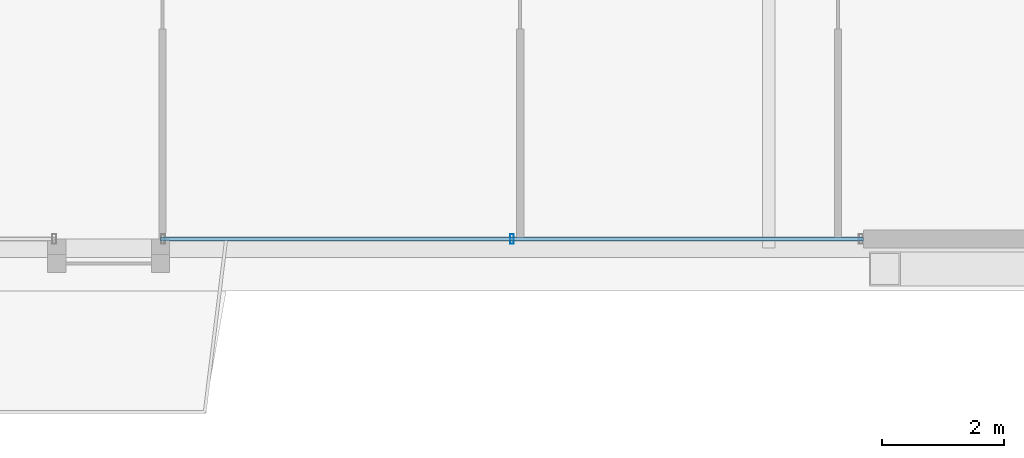
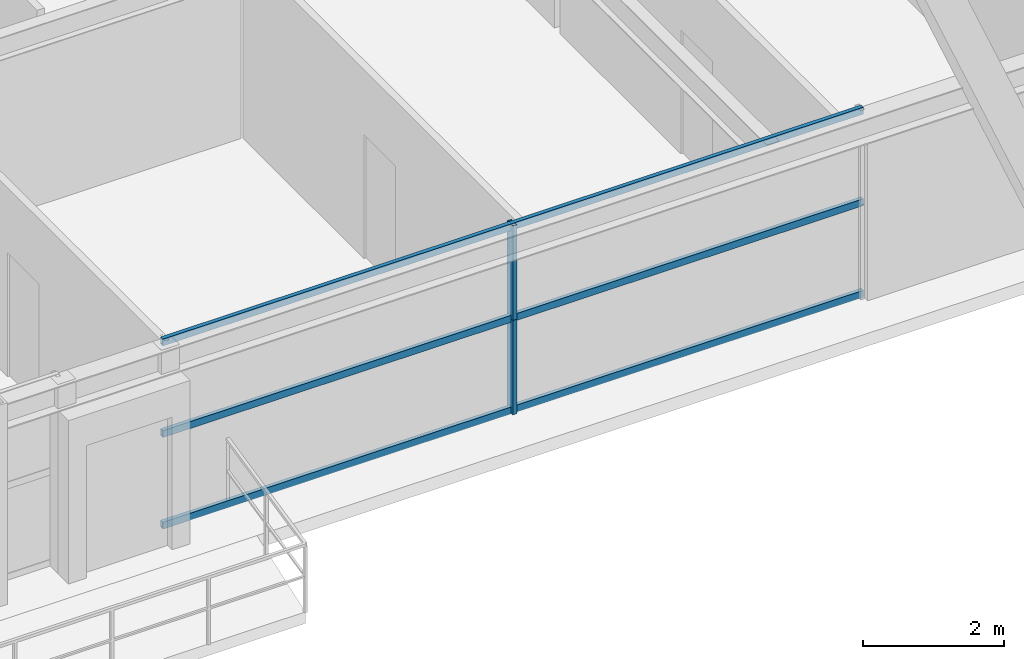
# One storey, part 12 of 45: 5 members, 1 element without a shape of its own.
"""IFC4 building model written with IfcOpenShell, lengths in metres."""

from ifc_helpers import new_model, si_unit, direction, frame, origin, origin_2d, place, context, subcontext, project, spatial, hollow_rectangle, extrude, source, transform, mapped, material, layer, layer_set, material_profile, profile_set, type_object, element, aggregate, save


model = new_model("IFC4")

# Units and contexts
model_context = context("Model", 3, precision=1e-05, world=origin(), true_north=direction((0.0, 1.0)))
body_context = subcontext(model_context, "Body", "Model", "MODEL_VIEW")
ifc_project = project(units=[si_unit("LENGTHUNIT", "METRE"), si_unit("AREAUNIT", "SQUARE_METRE"), si_unit("VOLUMEUNIT", "CUBIC_METRE"), si_unit("PLANEANGLEUNIT", "RADIAN"), si_unit("MASSUNIT", "GRAM", prefix="KILO"), si_unit("THERMODYNAMICTEMPERATUREUNIT", "KELVIN"), si_unit("POWERUNIT", "WATT")], contexts=[model_context])

# Site, building, storey
site_placement = place(None, origin())
site = spatial("IfcSite", under=ifc_project, at=site_placement, CompositionType="ELEMENT")
building_placement = place(site_placement, origin())
building = spatial("IfcBuilding", under=site, at=building_placement, Name="Yuzanri Waterfront Tower", CompositionType="ELEMENT")
storey_placement = place(building_placement, frame((0.0, 0.0, 212.5)))
storey = spatial("IfcBuildingStorey", under=building, at=storey_placement, Name="L56", CompositionType="ELEMENT", Elevation=212.5)

# Curtain wall, members
ifc_material_1 = material(Name="Anodized Architectural Bronze", Category="metal")
ifc_layer = layer(ifc_material_1, 0.159912109375)
ifc_layer_set = layer_set([ifc_layer], Name="Anodized Architectural Bronze")
curtain_wall_type = type_object("IfcCurtainWallType", Name="Anodized Bronze Mid-Rise Residential Acoustic Unitized Curtain Wall 7200", PredefinedType="NOTDEFINED", material=ifc_layer_set)
curtain_wall_placement = place(storey_placement, origin())
curtain_wall = element("IfcCurtainWall", 1, at=curtain_wall_placement, inside=storey, type_object=curtain_wall_type, Name="L56 Curtain Wall CW-L56-SR2", PredefinedType="NOTDEFINED")
ifc_material_2 = material(Name="Anodized Architectural Bronze", Category="metal")
ifc_material_profile_1 = material_profile(ifc_material_2, hollow_rectangle(XDim=0.06494140625, YDim=0.159912109375, WallThickness=0.00341796875, at=origin_2d()), Name="CWM 65x160")
ifc_profile_set_1 = profile_set([ifc_material_profile_1], Name="Anodized Architectural Bronze")
member_type_1 = type_object("IfcMemberType", Name="Anodized Bronze Upper-Zone Curtain-Wall Mullion 65x160", PredefinedType="MULLION", material=ifc_profile_set_1)
shared_shape_1 = source(origin(), body_context, "Body", "SweptSolid", [
    extrude(hollow_rectangle(XDim=0.06494140625, YDim=0.159912109375, WallThickness=0.00341796875, at=origin_2d()), origin(), (0.0, 0.0, 1.0), 1.637939453125),
])
member_1_placement = place(storey_placement, frame((46.0, 3.85009765625, 0.0), z_axis=(0.0, 0.0, 1.0), x_axis=(1.0, 0.0, 0.0)))
member_1 = element("IfcMember", 2, at=member_1_placement, type_object=member_type_1, Name="CW-L56-SR2 Lower Mullion 01", PredefinedType="MULLION", context=body_context, shape_type="MappedRepresentation", body=[
    mapped(shared_shape_1, transform((0.0, 0.0, 0.0), scale=1.0)),
])
member_2_placement = place(storey_placement, frame((46.0, 3.85009765625, 1.64208984375), z_axis=(0.0, 0.0, 1.0), x_axis=(1.0, 0.0, 0.0)))
member_2 = element("IfcMember", 3, at=member_2_placement, type_object=member_type_1, Name="CW-L56-SR2 Upper Mullion 01", PredefinedType="MULLION", context=body_context, shape_type="MappedRepresentation", body=[
    mapped(shared_shape_1, transform((0.0, 0.0, 0.0), scale=1.0)),
])
ifc_material_3 = material(Name="Anodized Architectural Bronze", Category="metal")
ifc_material_profile_2 = material_profile(ifc_material_3, hollow_rectangle(XDim=0.06494140625, YDim=0.1201171875, WallThickness=0.00341796875, at=origin_2d()), Name="CWT 65x120")
ifc_profile_set_2 = profile_set([ifc_material_profile_2], Name="Anodized Architectural Bronze")
member_type_2 = type_object("IfcMemberType", Name="Anodized Bronze Secondary Curtain-Wall Transom 65x120", PredefinedType="USERDEFINED", material=ifc_profile_set_2)
shared_shape_2 = source(origin(), body_context, "Body", "SweptSolid", [
    extrude(hollow_rectangle(XDim=0.06494140625, YDim=0.1201171875, WallThickness=0.00341796875, at=origin_2d()), origin(), (0.0, 0.0, 1.0), 11.5),
])
member_3_placement = place(storey_placement, frame((40.25, 3.85009765625, 0.050048828125), z_axis=(1.0, 0.0, 0.0), x_axis=(0.0, 1.0, 0.0)))
member_3 = element("IfcMember", 4, at=member_3_placement, type_object=member_type_2, Name="CW-L56-SR2 Transom 1", ObjectType="TRANSOM", PredefinedType="USERDEFINED", context=body_context, shape_type="MappedRepresentation", body=[
    mapped(shared_shape_2, transform((0.0, 0.0, 0.0), scale=1.0)),
])
member_4_placement = place(storey_placement, frame((40.25, 3.85009765625, 1.639892578125), z_axis=(1.0, 0.0, 0.0), x_axis=(0.0, 1.0, 0.0)))
member_4 = element("IfcMember", 5, at=member_4_placement, type_object=member_type_2, Name="CW-L56-SR2 Transom 2", ObjectType="TRANSOM", PredefinedType="USERDEFINED", context=body_context, shape_type="MappedRepresentation", body=[
    mapped(shared_shape_2, transform((0.0, 0.0, 0.0), scale=1.0)),
])
member_5_placement = place(storey_placement, frame((40.25, 3.85009765625, 3.22998046875), z_axis=(1.0, 0.0, 0.0), x_axis=(0.0, 1.0, 0.0)))
member_5 = element("IfcMember", 6, at=member_5_placement, type_object=member_type_2, Name="CW-L56-SR2 Transom 3", ObjectType="TRANSOM", PredefinedType="USERDEFINED", context=body_context, shape_type="MappedRepresentation", body=[
    mapped(shared_shape_2, transform((0.0, 0.0, 0.0), scale=1.0)),
])
aggregate(curtain_wall, [member_1, member_2, member_3, member_4, member_5])

save(model, "model.ifc")
